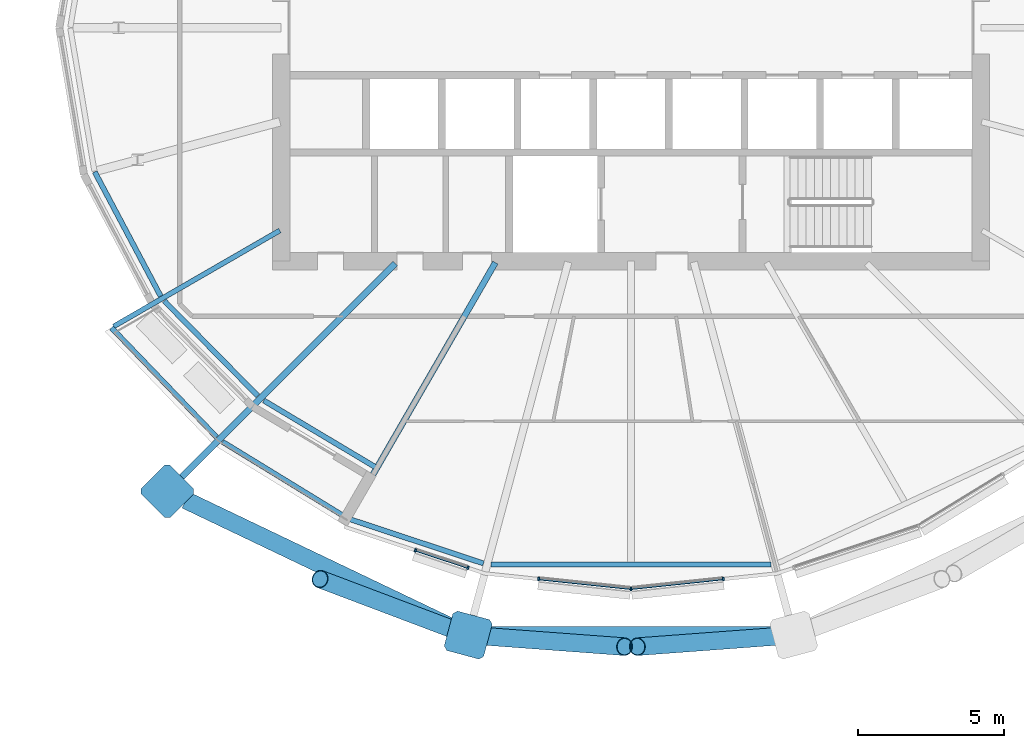
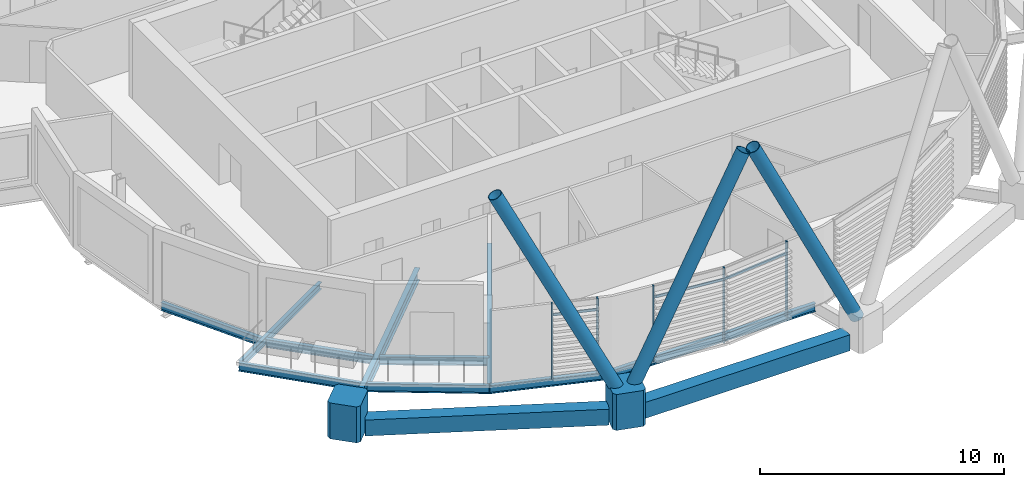
# One storey, part 3 of 36: 13 members, 12 beams, 1 element without a shape of its own.
"""IFC4 building model written with IfcOpenShell, lengths in metres."""

from ifc_helpers import new_model, si_unit, direction, frame, origin, origin_2d, place, context, subcontext, project, spatial, polyline, rectangle, hollow_rectangle, hollow_circle, i_section, outline, extrude, material, material_profile, profile_set, type_object, element, aggregate, save


model = new_model("IFC4")

# Units and contexts
model_context = context("Model", 3, precision=1e-05, world=origin(), true_north=direction((0.0, 1.0)))
body_context = subcontext(model_context, "Body", "Model", "MODEL_VIEW")
ifc_project = project(units=[si_unit("LENGTHUNIT", "METRE"), si_unit("AREAUNIT", "SQUARE_METRE"), si_unit("VOLUMEUNIT", "CUBIC_METRE"), si_unit("PLANEANGLEUNIT", "RADIAN"), si_unit("MASSUNIT", "GRAM", prefix="KILO")], contexts=[model_context])

# Site, building, storey
site_placement = place(None, origin())
site = spatial("IfcSite", under=ifc_project, at=site_placement, CompositionType="ELEMENT")
building_placement = place(site_placement, origin())
building = spatial("IfcBuilding", under=site, at=building_placement, Name="Rimbun Link Towers", CompositionType="ELEMENT")
storey_placement = place(building_placement, frame((0.0, 0.0, 193.10009765625)))
storey = spatial("IfcBuildingStorey", under=building, at=storey_placement, Name="L47", CompositionType="ELEMENT", Elevation=193.10009765625)

# Curtain wall, members
ifc_material_1 = material(Name="Aluminium 6063-T6 and low-iron glass", Category="aluminium")
curtain_wall_type = type_object("IfcCurtainWallType", Name="CW1-Z3 unitised vision wall (zone 3)", PredefinedType="NOTDEFINED", material=ifc_material_1)
curtain_wall_placement = place(storey_placement, origin())
curtain_wall = element("IfcCurtainWall", 1, at=curtain_wall_placement, inside=storey, type_object=curtain_wall_type, Name="CW1 L47 T1", PredefinedType="NOTDEFINED")
ifc_material_2 = material(Name="Aluminium 6063-T6", Category="aluminium")
ifc_material_profile_1 = material_profile(ifc_material_2, rectangle(XDim=0.1201171875, YDim=0.06005859375, at=origin_2d()), Name="MULLION 60X120")
ifc_profile_set_1 = profile_set([ifc_material_profile_1], Name="Aluminium 6063-T6")
member_type_1 = type_object("IfcMemberType", Name="CW1 mullion 60X120", PredefinedType="MULLION", material=ifc_profile_set_1)
member_1_placement = place(storey_placement, frame((-37.337158203125, -18.5234375, 0.0), z_axis=(0.0, 0.0, 1.0), x_axis=(-0.314557993327, -0.949238257149, 0.0)))
member_1 = element("IfcMember", 2, at=member_1_placement, type_object=member_type_1, Name="CW1 mullion", PredefinedType="MULLION", context=body_context, shape_type="SweptSolid", body=[
    extrude(rectangle(XDim=0.1201171875, YDim=0.06005859375, at=origin_2d()), origin(), (0.0, 0.0, 1.0), 3.7998046875),
])
member_2_placement = place(storey_placement, frame((-39.14453125, -17.924560546875, 0.0), z_axis=(0.0, 0.0, 1.0), x_axis=(-0.314557993327, -0.949238257149, 0.0)))
member_2 = element("IfcMember", 3, at=member_2_placement, type_object=member_type_1, Name="CW1 mullion", PredefinedType="MULLION", context=body_context, shape_type="SweptSolid", body=[
    extrude(rectangle(XDim=0.1201171875, YDim=0.06005859375, at=origin_2d()), origin(), (0.0, 0.0, 1.0), 3.7998046875),
])
member_3_placement = place(storey_placement, frame((-31.75, -19.24169921875, 0.0), z_axis=(0.0, 0.0, 1.0), x_axis=(0.0, -1.0, 0.0)))
member_3 = element("IfcMember", 4, at=member_3_placement, type_object=member_type_1, Name="CW1 mullion", PredefinedType="MULLION", context=body_context, shape_type="SweptSolid", body=[
    extrude(rectangle(XDim=0.1201171875, YDim=0.06005859375, at=origin_2d()), origin(), (0.0, 0.0, 1.0), 3.7998046875),
])
member_4_placement = place(storey_placement, frame((-34.915283203125, -18.90869140625, 0.0), z_axis=(0.0, 0.0, 1.0), x_axis=(-0.104747958219, -0.994498801029, 0.0)))
member_4 = element("IfcMember", 5, at=member_4_placement, type_object=member_type_1, Name="CW1 mullion", PredefinedType="MULLION", context=body_context, shape_type="SweptSolid", body=[
    extrude(rectangle(XDim=0.1201171875, YDim=0.06005859375, at=origin_2d()), origin(), (0.0, 0.0, 1.0), 3.7998046875),
])
member_5_placement = place(storey_placement, frame((-28.584716796875, -18.90869140625, 0.0), z_axis=(0.0, 0.0, 1.0), x_axis=(0.104747958219, -0.994498801029, 0.0)))
member_5 = element("IfcMember", 6, at=member_5_placement, type_object=member_type_1, Name="CW1 mullion", PredefinedType="MULLION", context=body_context, shape_type="SweptSolid", body=[
    extrude(rectangle(XDim=0.1201171875, YDim=0.06005859375, at=origin_2d()), origin(), (0.0, 0.0, 1.0), 3.7998046875),
])
ifc_material_3 = material(Name="Aluminium 6063-T6", Category="aluminium")
ifc_material_profile_2 = material_profile(ifc_material_3, rectangle(XDim=0.06005859375, YDim=0.1201171875, at=origin_2d()), Name="TRANSOM 60X120")
ifc_profile_set_2 = profile_set([ifc_material_profile_2], Name="Aluminium 6063-T6")
member_type_2 = type_object("IfcMemberType", Name="CW1 transom 60X120", PredefinedType="USERDEFINED", material=ifc_profile_set_2)
member_6_placement = place(storey_placement, frame((-37.364990234375, -18.511962890625, 3.199951171875), z_axis=(-0.949264302387, 0.314479385991, 0.0), x_axis=(-0.314479385991, -0.949264302387, 0.0)))
member_6 = element("IfcMember", 7, at=member_6_placement, type_object=member_type_2, Name="CW1 transom", ObjectType="TRANSOM", PredefinedType="USERDEFINED", context=body_context, shape_type="SweptSolid", body=[
    extrude(rectangle(XDim=0.06005859375, YDim=0.1201171875, at=origin_2d()), origin(), (0.0, 0.0, 1.0), 1.84375),
])
member_7_placement = place(storey_placement, frame((-31.785888671875, -19.236328125, 3.199951171875), z_axis=(-0.994499011805, 0.104745957049, 0.0), x_axis=(-0.104745957049, -0.994499011805, 0.0)))
member_7 = element("IfcMember", 8, at=member_7_placement, type_object=member_type_2, Name="CW1 transom", ObjectType="TRANSOM", PredefinedType="USERDEFINED", context=body_context, shape_type="SweptSolid", body=[
    extrude(rectangle(XDim=0.06005859375, YDim=0.1201171875, at=origin_2d()), origin(), (0.0, 0.0, 1.0), 3.1162109375),
])
member_8_placement = place(storey_placement, frame((-28.614990234375, -18.909912109375, 3.199951171875), z_axis=(-0.994499011805, -0.104745957049, 0.0), x_axis=(0.104745957049, -0.994499011805, 0.0)))
member_8 = element("IfcMember", 9, at=member_8_placement, type_object=member_type_2, Name="CW1 transom", ObjectType="TRANSOM", PredefinedType="USERDEFINED", context=body_context, shape_type="SweptSolid", body=[
    extrude(rectangle(XDim=0.06005859375, YDim=0.1201171875, at=origin_2d()), origin(), (0.0, 0.0, 1.0), 3.1162109375),
])
aggregate(curtain_wall, [member_1, member_2, member_3, member_4, member_5, member_6, member_7, member_8])

# Members
ifc_material_4 = material(Name="Steel S355J2H", Category="steel")
ifc_material_profile_3 = material_profile(ifc_material_4, hollow_circle(Radius=0.3046875, WallThickness=0.02490234375, at=origin_2d()), Name="Diagrid diagonal CHS 610x25")
ifc_profile_set_3 = profile_set([ifc_material_profile_3], Name="Steel S355J2H")
member_type_3 = type_object("IfcMemberType", Name="Diagrid diagonal CHS 610x25", PredefinedType="BRACE", material=ifc_profile_set_3)
member_9_placement = place(storey_placement, frame((-37.538818359375, -20.75, 0.44775390625), z_axis=(-0.415751650565, 0.157031197344, 0.895819048756), x_axis=(-0.353340436783, -0.935494807967, 0.0)))
element("IfcMember", 10, at=member_9_placement, inside=storey, type_object=member_type_3, Name="Diagrid diagonal T1 L47-L50 17a", PredefinedType="BRACE", context=body_context, shape_type="SweptSolid", body=[
    extrude(hollow_circle(Radius=0.3046875, WallThickness=0.02490234375, at=origin_2d()), origin(), (0.0, 0.0, 1.0), 11.725830078125),
])
for number, where, z_axis, x_axis, name in (
    (11, (-37.111328125, -20.844970703125, 0.44873046875), (0.439464733529, -0.032594677767, 0.897668276684), (0.073965874995, 0.997260772986, 0.0), "Diagrid diagonal T1 L47-L50 17b"),
    (12, (-26.388671875, -20.844970703125, 0.44873046875), (-0.439464733529, -0.032594677767, 0.897668276684), (0.073965874995, -0.997260772986, 0.0), "Diagrid diagonal T1 L47-L50 19a"),
):
    element("IfcMember", number, at=place(storey_placement, frame(where, z_axis=z_axis, x_axis=x_axis)), inside=storey, type_object=member_type_3, Name=name, PredefinedType="BRACE", context=body_context, shape_type="SweptSolid", body=[
        extrude(hollow_circle(Radius=0.3046875, WallThickness=0.02490234375, at=origin_2d()), origin(), (0.0, 0.0, 1.0), 11.69970703125),
    ])
ifc_material_5 = material(Name="Cast steel G20Mn5+QT, Rp0.2 300 MPa", Category="steel")
ifc_material_profile_4 = material_profile(ifc_material_5, outline(polyline([(0.699951171875, -0.570068359375), (0.699951171875, 0.570068359375), (0.570068359375, 0.699951171875), (-0.570068359375, 0.699951171875), (-0.699951171875, 0.570068359375), (-0.699951171875, -0.570068359375), (-0.570068359375, -0.699951171875), (0.570068359375, -0.699951171875), (0.699951171875, -0.570068359375)])), Name="NODE 1400x1400")
ifc_profile_set_4 = profile_set([ifc_material_profile_4], Name="Cast steel G20Mn5+QT, Rp0.2 300 MPa")
member_type_4 = type_object("IfcMemberType", Name="Diagrid node cast 1400", PredefinedType="USERDEFINED", material=ifc_profile_set_4)
for number, where, z_axis, x_axis, name in (
    (13, (-47.6494140625, -15.8994140625, -0.900146484375), (0.0, 0.0, 1.0), (-0.707106781187, -0.707106781187, 0.0), "Diagrid node L47 15"),
    (14, (-37.3310546875, -20.82861328125, -0.900146484375), (0.0, 0.0, 1.0), (-0.258819045103, -0.965925826289, 0.0), "Diagrid node L47 17"),
):
    element("IfcMember", number, at=place(storey_placement, frame(where, z_axis=z_axis, x_axis=x_axis)), inside=storey, type_object=member_type_4, Name=name, ObjectType="Diagrid node", PredefinedType="USERDEFINED", context=body_context, shape_type="SweptSolid", body=[
        extrude(outline(polyline([(0.699951171875, -0.570068359375), (0.699951171875, 0.570068359375), (0.570068359375, 0.699951171875), (-0.570068359375, 0.699951171875), (-0.699951171875, 0.570068359375), (-0.699951171875, -0.570068359375), (-0.570068359375, -0.699951171875), (0.570068359375, -0.699951171875), (0.699951171875, -0.570068359375)])), origin(), (0.0, 0.0, 1.0), 1.800048828125),
    ])

# Beams
ifc_material_6 = material(Name="Steel S355J2", Category="steel")
ifc_material_profile_5 = material_profile(ifc_material_6, hollow_rectangle(XDim=0.60009765625, YDim=0.800048828125, WallThickness=0.0400390625, at=origin_2d()), Name="Exoskeleton ring girder BOX 600x800x40")
ifc_profile_set_5 = profile_set([ifc_material_profile_5], Name="Steel S355J2")
beam_type_1 = type_object("IfcBeamType", Name="Exoskeleton ring girder BOX 600x800x40", PredefinedType="BEAM", material=ifc_profile_set_5)
beam_1_placement = place(storey_placement, frame((-47.017578125, -16.200927734375, -0.56005859375), z_axis=(0.902316117844, -0.431074962714, 0.0), x_axis=(0.431074962714, 0.902316117844, 0.0)))
element("IfcBeam", 15, at=beam_1_placement, inside=storey, type_object=beam_type_1, Name="Exoskeleton ring girder L47 05", PredefinedType="BEAM", context=body_context, shape_type="SweptSolid", body=[
    extrude(hollow_rectangle(XDim=0.60009765625, YDim=0.800048828125, WallThickness=0.0400390625, at=origin_2d()), origin(), (0.0, 0.0, 1.0), 10.03515625),
])
beam_2_placement = place(storey_placement, frame((-36.631103515625, -20.82861328125, -0.56005859375), z_axis=(1.0, 0.0, 0.0), x_axis=(0.0, 1.0, 0.0)))
element("IfcBeam", 16, at=beam_2_placement, inside=storey, type_object=beam_type_1, Name="Exoskeleton ring girder L47 06", PredefinedType="BEAM", context=body_context, shape_type="SweptSolid", body=[
    extrude(hollow_rectangle(XDim=0.60009765625, YDim=0.800048828125, WallThickness=0.0400390625, at=origin_2d()), origin(), (0.0, 0.0, 1.0), 9.76220703125),
])
ifc_material_7 = material(Name="Steel S355J2", Category="steel")
ifc_material_profile_6 = material_profile(ifc_material_7, i_section(OverallWidth=0.17138671875, OverallDepth=0.35498046875, WebThickness=0.00732421875, FlangeThickness=0.011474609375, at=origin_2d()), Name="UB 356x171x51")
ifc_profile_set_6 = profile_set([ifc_material_profile_6], Name="Steel S355J2")
beam_type_2 = type_object("IfcBeamType", Name="UB 356x171x51", PredefinedType="BEAM", material=ifc_profile_set_6)
beam_3_placement = place(storey_placement, frame((-43.793701171875, -6.95361328125, -0.32763671875), z_axis=(-0.866047684293, -0.499961407042, 0.0), x_axis=(0.499961407042, -0.866047684293, 0.0)))
element("IfcBeam", 17, at=beam_3_placement, inside=storey, type_object=beam_type_2, Name="Radial beam T1 L47 14", PredefinedType="BEAM", context=body_context, shape_type="SweptSolid", body=[
    extrude(i_section(OverallWidth=0.17138671875, OverallDepth=0.35498046875, WebThickness=0.00732421875, FlangeThickness=0.011474609375, at=origin_2d()), origin(), (0.0, 0.0, 1.0), 6.57421875),
])
ifc_material_8 = material(Name="Steel S355J2", Category="steel")
ifc_material_profile_7 = material_profile(ifc_material_8, i_section(OverallWidth=0.177978515625, OverallDepth=0.406494140625, WebThickness=0.0078125, FlangeThickness=0.0126953125, at=origin_2d()), Name="UB 406x178x60")
ifc_profile_set_7 = profile_set([ifc_material_profile_7], Name="Steel S355J2")
beam_type_3 = type_object("IfcBeamType", Name="UB 406x178x60", PredefinedType="BEAM", material=ifc_profile_set_7)
beam_4_placement = place(storey_placement, frame((-50.14013671875, -4.943115234375, -0.353271484375), z_axis=(0.468828556817, -0.883289184986, 0.0), x_axis=(0.883289184986, 0.468828556817, 0.0)))
element("IfcBeam", 18, at=beam_4_placement, inside=storey, type_object=beam_type_3, Name="Edge beam T1 L47 13 recess", PredefinedType="BEAM", context=body_context, shape_type="SweptSolid", body=[
    extrude(i_section(OverallWidth=0.177978515625, OverallDepth=0.406494140625, WebThickness=0.0078125, FlangeThickness=0.0126953125, at=origin_2d()), origin(), (0.0, 0.0, 1.0), 4.827392578125),
])
beam_5_placement = place(storey_placement, frame((-47.755615234375, -9.36669921875, -0.353271484375), z_axis=(0.701620496396, -0.712550825582, 0.0), x_axis=(0.712550825582, 0.701620496396, 0.0)))
element("IfcBeam", 19, at=beam_5_placement, inside=storey, type_object=beam_type_3, Name="Edge beam T1 L47 14 recess", PredefinedType="BEAM", context=body_context, shape_type="SweptSolid", body=[
    extrude(i_section(OverallWidth=0.177978515625, OverallDepth=0.406494140625, WebThickness=0.0078125, FlangeThickness=0.0126953125, at=origin_2d()), origin(), (0.0, 0.0, 1.0), 4.578857421875),
])
beam_6_placement = place(storey_placement, frame((-49.56689453125, -10.28759765625, -0.353271484375), z_axis=(0.693000041959, -0.720937543651, 0.0), x_axis=(0.720937543651, 0.693000041959, 0.0)))
element("IfcBeam", 20, at=beam_6_placement, inside=storey, type_object=beam_type_3, Name="Edge beam T1 L47 14 terrace", PredefinedType="BEAM", context=body_context, shape_type="SweptSolid", body=[
    extrude(i_section(OverallWidth=0.177978515625, OverallDepth=0.406494140625, WebThickness=0.0078125, FlangeThickness=0.0126953125, at=origin_2d()), origin(), (0.0, 0.0, 1.0), 5.208251953125),
])
beam_7_placement = place(storey_placement, frame((-44.3408203125, -12.783935546875, -0.353271484375), z_axis=(0.858743478115, -0.512405736498, 0.0), x_axis=(0.512405736498, 0.858743478115, 0.0)))
element("IfcBeam", 21, at=beam_7_placement, inside=storey, type_object=beam_type_3, Name="Edge beam T1 L47 15 recess", PredefinedType="BEAM", context=body_context, shape_type="SweptSolid", body=[
    extrude(i_section(OverallWidth=0.177978515625, OverallDepth=0.406494140625, WebThickness=0.0078125, FlangeThickness=0.0126953125, at=origin_2d()), origin(), (0.0, 0.0, 1.0), 4.48681640625),
])
beam_8_placement = place(storey_placement, frame((-45.7578125, -14.199462890625, -0.353271484375), z_axis=(0.852716518884, -0.522373945006, 0.0), x_axis=(0.522373945006, 0.852716518884, 0.0)))
element("IfcBeam", 22, at=beam_8_placement, inside=storey, type_object=beam_type_3, Name="Edge beam T1 L47 15 terrace", PredefinedType="BEAM", context=body_context, shape_type="SweptSolid", body=[
    extrude(i_section(OverallWidth=0.177978515625, OverallDepth=0.406494140625, WebThickness=0.0078125, FlangeThickness=0.0126953125, at=origin_2d()), origin(), (0.0, 0.0, 1.0), 5.02197265625),
])
beam_9_placement = place(storey_placement, frame((-41.455322265625, -16.832275390625, -0.353271484375), z_axis=(0.949414173803, -0.314026633555, 0.0), x_axis=(0.314026633555, 0.949414173803, 0.0)))
element("IfcBeam", 23, at=beam_9_placement, inside=storey, type_object=beam_type_3, Name="Edge beam T1 L47 16", PredefinedType="BEAM", context=body_context, shape_type="SweptSolid", body=[
    extrude(i_section(OverallWidth=0.177978515625, OverallDepth=0.406494140625, WebThickness=0.0078125, FlangeThickness=0.0126953125, at=origin_2d()), origin(), (0.0, 0.0, 1.0), 4.893310546875),
])
beam_10_placement = place(storey_placement, frame((-36.55078125, -18.41064453125, -0.353271484375), z_axis=(1.0, 0.0, 0.0), x_axis=(0.0, 1.0, 0.0)))
element("IfcBeam", 24, at=beam_10_placement, inside=storey, type_object=beam_type_3, Name="Edge beam T1 L47 17-19", PredefinedType="BEAM", context=body_context, shape_type="SweptSolid", body=[
    extrude(i_section(OverallWidth=0.177978515625, OverallDepth=0.406494140625, WebThickness=0.0078125, FlangeThickness=0.0126953125, at=origin_2d()), origin(), (0.0, 0.0, 1.0), 9.6015625),
])
ifc_material_9 = material(Name="Steel S355J2", Category="steel")
ifc_material_profile_8 = material_profile(ifc_material_9, i_section(OverallWidth=0.209228515625, OverallDepth=0.533203125, WebThickness=0.010009765625, FlangeThickness=0.015625, at=origin_2d()), Name="UB 533x210x92")
ifc_profile_set_8 = profile_set([ifc_material_profile_8], Name="Steel S355J2")
beam_type_4 = type_object("IfcBeamType", Name="UB 533x210x92", PredefinedType="BEAM", material=ifc_profile_set_8)
beam_11_placement = place(storey_placement, frame((-36.3994140625, -8.05322265625, -0.416748046875), z_axis=(-0.500008642379, -0.866020414047, 0.0), x_axis=(0.866020414047, -0.500008642379, 0.0)))
element("IfcBeam", 25, at=beam_11_placement, inside=storey, type_object=beam_type_4, Name="Radial beam T1 L47 16", PredefinedType="BEAM", context=body_context, shape_type="SweptSolid", body=[
    extrude(i_section(OverallWidth=0.209228515625, OverallDepth=0.533203125, WebThickness=0.010009765625, FlangeThickness=0.015625, at=origin_2d()), origin(), (0.0, 0.0, 1.0), 10.042724609375),
])
ifc_material_10 = material(Name="Steel S355J2", Category="steel")
ifc_material_profile_9 = material_profile(ifc_material_10, i_section(OverallWidth=0.2275390625, OverallDepth=0.6025390625, WebThickness=0.010498046875, FlangeThickness=0.014892578125, at=origin_2d()), Name="UB 610x229x101")
ifc_profile_set_9 = profile_set([ifc_material_profile_9], Name="Steel S355J2")
beam_type_5 = type_object("IfcBeamType", Name="UB 610x229x101", PredefinedType="BEAM", material=ifc_profile_set_9)
beam_12_placement = place(storey_placement, frame((-39.831298828125, -8.081298828125, -0.451416015625), z_axis=(-0.707106781187, -0.707106781187, 0.0), x_axis=(0.707106781187, -0.707106781187, 0.0)))
element("IfcBeam", 26, at=beam_12_placement, inside=storey, type_object=beam_type_5, Name="Radial beam T1 L47 15", PredefinedType="BEAM", context=body_context, shape_type="SweptSolid", body=[
    extrude(i_section(OverallWidth=0.2275390625, OverallDepth=0.6025390625, WebThickness=0.010498046875, FlangeThickness=0.014892578125, at=origin_2d()), origin(), (0.0, 0.0, 1.0), 10.55615234375),
])

save(model, "model.ifc")
